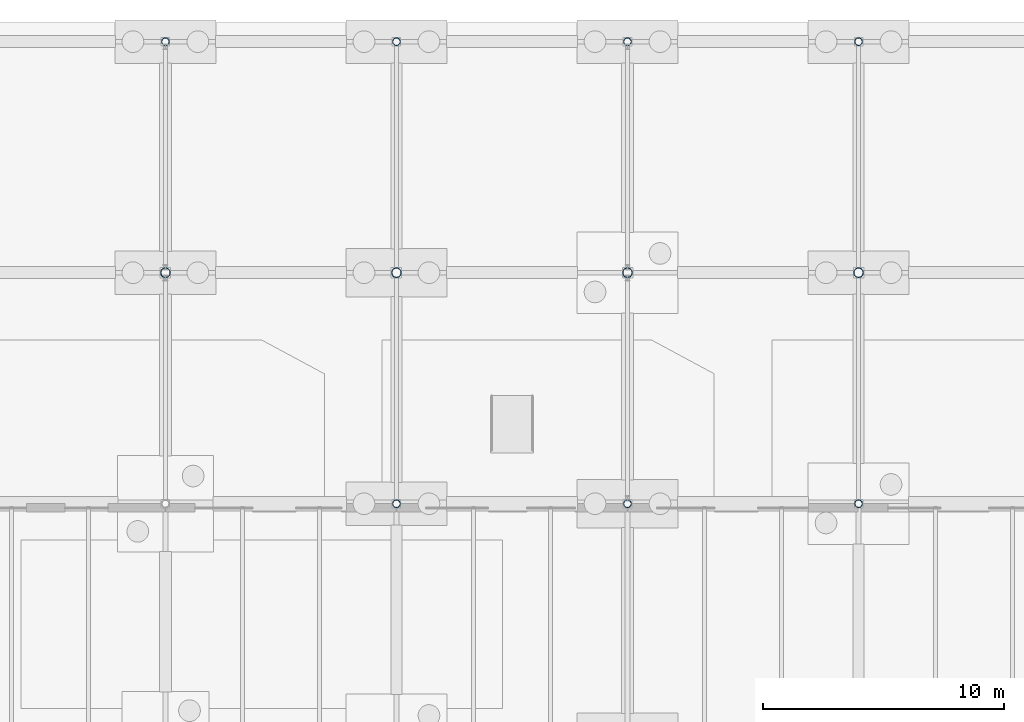
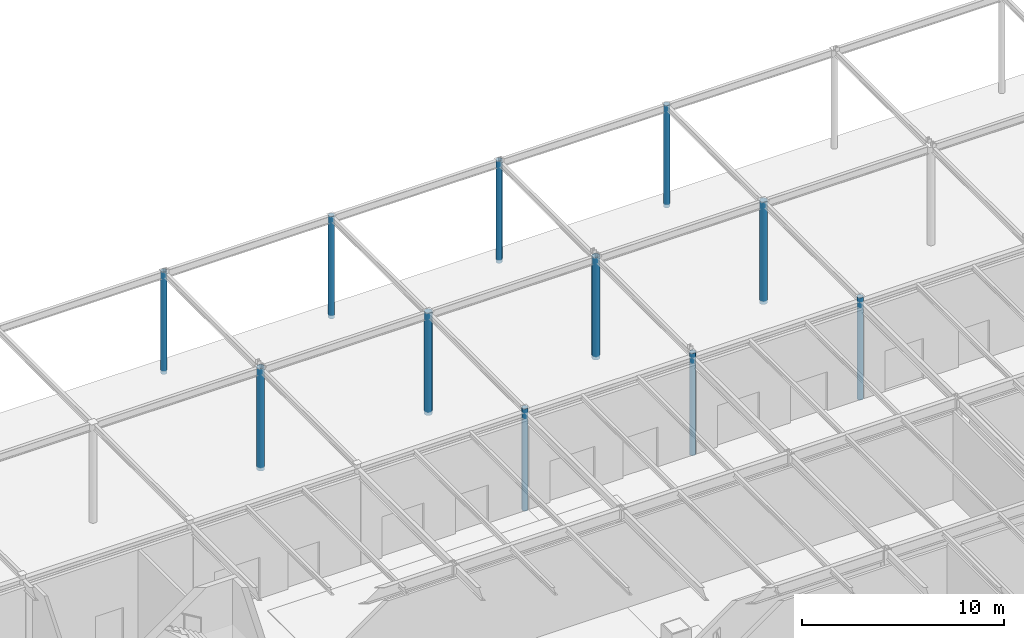
# One storey, part 20 of 142: 11 columns.
"""IFC4 building model written with IfcOpenShell, lengths in metres."""

from ifc_helpers import new_model, si_unit, direction, frame, origin, origin_2d, place, context, subcontext, project, spatial, hollow_circle, extrude, material, material_profile, profile_set, type_object, element, save


model = new_model("IFC4")

# Units and contexts
model_context = context("Model", 3, precision=1e-05, world=origin(), true_north=direction((0.0, 1.0)))
body_context = subcontext(model_context, "Body", "Model", "MODEL_VIEW")
ifc_project = project(units=[si_unit("LENGTHUNIT", "METRE"), si_unit("AREAUNIT", "SQUARE_METRE"), si_unit("VOLUMEUNIT", "CUBIC_METRE"), si_unit("PLANEANGLEUNIT", "RADIAN"), si_unit("MASSUNIT", "GRAM", prefix="KILO")], contexts=[model_context])

# Site, building, storey
site_placement = place(None, origin())
site = spatial("IfcSite", under=ifc_project, at=site_placement, CompositionType="ELEMENT")
building_placement = place(site_placement, origin())
building = spatial("IfcBuilding", under=site, at=building_placement, Name="Coralgate Yard Interchange", CompositionType="ELEMENT")
storey_placement = place(building_placement, origin())
storey = spatial("IfcBuildingStorey", under=building, at=storey_placement, Name="L00", CompositionType="ELEMENT", Elevation=0.0)

# Columns
ifc_material = material(Name="Structural steel S355J2", Category="steel")
ifc_material_profile_1 = material_profile(ifc_material, hollow_circle(Radius=0.203125, WallThickness=0.01611328125, at=origin_2d()), Name="CHS 406.4x16")
ifc_profile_set_1 = profile_set([ifc_material_profile_1], Name="Structural steel S355J2")
column_type_1 = type_object("IfcColumnType", Name="COL-SC-12", PredefinedType="COLUMN", material=ifc_profile_set_1)
for number, where, z_axis, x_axis, name in (
    (1, (96.0, 105.60009765625, -0.199951171875), (0.0, 0.0, 1.0), (1.0, 0.0, 0.0), "L00 wave-canopy steel column 10-11"),
    (2, (105.60009765625, 105.60009765625, -0.199951171875), (0.0, 0.0, 1.0), (1.0, 0.0, 0.0), "L00 wave-canopy steel column 11-11"),
    (3, (115.199951171875, 105.60009765625, -0.199951171875), (0.0, 0.0, 1.0), (1.0, 0.0, 0.0), "L00 wave-canopy steel column 12-11"),
    (4, (124.800048828125, 105.60009765625, -0.199951171875), (0.0, 0.0, 1.0), (1.0, 0.0, 0.0), "L00 wave-canopy steel column 13-11"),
):
    element("IfcColumn", number, at=place(storey_placement, frame(where, z_axis=z_axis, x_axis=x_axis)), inside=storey, type_object=column_type_1, Name=name, PredefinedType="COLUMN", context=body_context, shape_type="SweptSolid", body=[
        extrude(hollow_circle(Radius=0.203125, WallThickness=0.01611328125, at=origin_2d()), origin(), (0.0, 0.0, 1.0), 6.199951171875),
    ])
ifc_material_profile_2 = material_profile(ifc_material, hollow_circle(Radius=0.161865234375, WallThickness=0.012451171875, at=origin_2d()), Name="CHS 323.9x12.5")
ifc_profile_set_2 = profile_set([ifc_material_profile_2], Name="Structural steel S355J2")
column_type_2 = type_object("IfcColumnType", Name="COL-SC-13", PredefinedType="COLUMN", material=ifc_profile_set_2)
for number, where, z_axis, x_axis, name in (
    (5, (96.0, 115.199951171875, -0.199951171875), (0.0, 0.0, 1.0), (1.0, 0.0, 0.0), "L00 wave-canopy steel column 10-12"),
    (6, (105.60009765625, 96.0, -0.199951171875), (0.0, 0.0, 1.0), (1.0, 0.0, 0.0), "L00 wave-canopy steel column 11-10"),
    (7, (105.60009765625, 115.199951171875, -0.199951171875), (0.0, 0.0, 1.0), (1.0, 0.0, 0.0), "L00 wave-canopy steel column 11-12"),
    (8, (115.199951171875, 96.0, -0.199951171875), (0.0, 0.0, 1.0), (1.0, 0.0, 0.0), "L00 wave-canopy steel column 12-10"),
    (9, (115.199951171875, 115.199951171875, -0.199951171875), (0.0, 0.0, 1.0), (1.0, 0.0, 0.0), "L00 wave-canopy steel column 12-12"),
    (10, (124.800048828125, 96.0, -0.199951171875), (0.0, 0.0, 1.0), (1.0, 0.0, 0.0), "L00 wave-canopy steel column 13-10"),
    (11, (124.800048828125, 115.199951171875, -0.199951171875), (0.0, 0.0, 1.0), (1.0, 0.0, 0.0), "L00 wave-canopy steel column 13-12"),
):
    element("IfcColumn", number, at=place(storey_placement, frame(where, z_axis=z_axis, x_axis=x_axis)), inside=storey, type_object=column_type_2, Name=name, PredefinedType="COLUMN", context=body_context, shape_type="SweptSolid", body=[
        extrude(hollow_circle(Radius=0.161865234375, WallThickness=0.012451171875, at=origin_2d()), origin(), (0.0, 0.0, 1.0), 6.199951171875),
    ])

save(model, "model.ifc")
